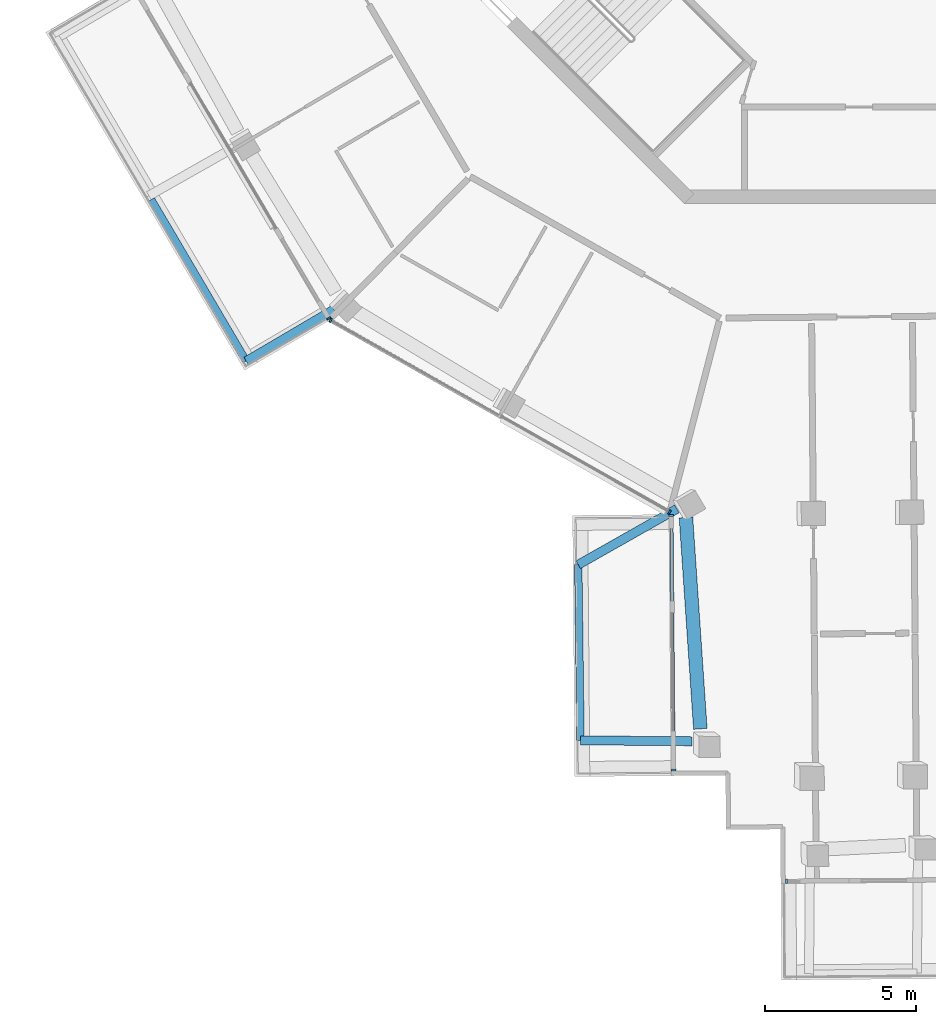
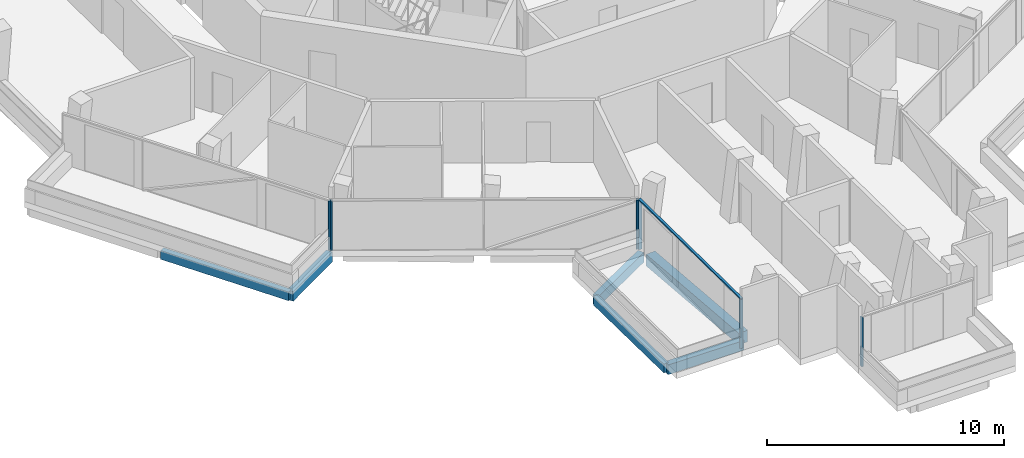
# One storey, part 2 of 26: 7 members, 6 beams, 4 elements without a shape of their own.
"""IFC4 building model written with IfcOpenShell, lengths in metres."""

from ifc_helpers import new_model, si_unit, direction, frame, origin, origin_2d, place, context, subcontext, project, spatial, rectangle, extrude, material, layer, layer_set, material_profile, profile_set, type_object, element, aggregate, save


model = new_model("IFC4")

# Units and contexts
model_context = context("Model", 3, precision=1e-05, world=origin(), true_north=direction((0.0, 1.0)))
body_context = subcontext(model_context, "Body", "Model", "MODEL_VIEW")
ifc_project = project(units=[si_unit("LENGTHUNIT", "METRE"), si_unit("AREAUNIT", "SQUARE_METRE"), si_unit("VOLUMEUNIT", "CUBIC_METRE"), si_unit("PLANEANGLEUNIT", "RADIAN"), si_unit("MASSUNIT", "GRAM", prefix="KILO")], contexts=[model_context])

# Site, building, storey
site_placement = place(None, origin())
site = spatial("IfcSite", under=ifc_project, at=site_placement, CompositionType="ELEMENT")
building_placement = place(site_placement, origin())
building = spatial("IfcBuilding", under=site, at=building_placement, Name="Verdalira Terraces Hotel", CompositionType="ELEMENT")
storey_placement = place(building_placement, frame((0.0, 0.0, 281.0)))
storey = spatial("IfcBuildingStorey", under=building, at=storey_placement, Name="L69", CompositionType="ELEMENT", Elevation=281.0)

# Beams
ifc_material_1 = material(Name="Concrete C40", Category="concrete")
ifc_material_profile_1 = material_profile(ifc_material_1, rectangle(XDim=0.300049, YDim=0.5, at=origin_2d()), Name="RC 300X500")
ifc_profile_set_1 = profile_set([ifc_material_profile_1], Name="Concrete C40")
beam_type_1 = type_object("IfcBeamType", Name="Balcony cantilever beam RC 300X500 C40", PredefinedType="BEAM", material=ifc_profile_set_1)
beam_1_placement = place(storey_placement, frame((-17.408203, -17.517578, -0.560059), z_axis=(-0.861783344, -0.50727652, 0.0), x_axis=(0.50727652, -0.861783344, 0.0)))
element("IfcBeam", 1, at=beam_1_placement, inside=storey, type_object=beam_type_1, Name="Balcony cantilever beam R12-3", PredefinedType="BEAM", context=body_context, shape_type="SweptSolid", body=[
    extrude(rectangle(XDim=0.300049, YDim=0.5, at=origin_2d()), origin(), (0.0, 0.0, 1.0), 3.370361),
])
beam_2_placement = place(storey_placement, frame((-6.039551, -24.124268, -0.560059), z_axis=(-0.870188497, -0.492718967, 0.0), x_axis=(0.492718967, -0.870188497, 0.0)))
element("IfcBeam", 2, at=beam_2_placement, inside=storey, type_object=beam_type_1, Name="Balcony cantilever beam R14-1", PredefinedType="BEAM", context=body_context, shape_type="SweptSolid", body=[
    extrude(rectangle(XDim=0.300049, YDim=0.5, at=origin_2d()), origin(), (0.0, 0.0, 1.0), 3.755859),
])
beam_3_placement = place(storey_placement, frame((-5.540039, -31.828613, -0.560059), z_axis=(-0.999965325, 0.008327537, 0.0), x_axis=(-0.008327537, -0.999965325, 0.0)))
element("IfcBeam", 3, at=beam_3_placement, inside=storey, type_object=beam_type_1, Name="Balcony cantilever beam R14-2", PredefinedType="BEAM", context=body_context, shape_type="SweptSolid", body=[
    extrude(rectangle(XDim=0.300049, YDim=0.5, at=origin_2d()), origin(), (0.0, 0.0, 1.0), 3.694092),
])
ifc_material_2 = material(Name="Concrete C40", Category="concrete")
ifc_material_profile_2 = material_profile(ifc_material_2, rectangle(XDim=0.25, YDim=0.449951, at=origin_2d()), Name="RC 250X450")
ifc_profile_set_2 = profile_set([ifc_material_profile_2], Name="Concrete C40")
beam_type_2 = type_object("IfcBeamType", Name="Balcony edge beam RC 250X450 C40", PredefinedType="BEAM", material=ifc_profile_set_2)
beam_4_placement = place(storey_placement, frame((-23.463623, -13.873535, -0.534912), z_axis=(0.507212474, -0.861821041, 0.0), x_axis=(0.861821041, 0.507212474, 0.0)))
element("IfcBeam", 4, at=beam_4_placement, inside=storey, type_object=beam_type_2, Name="Balcony edge beam R12-2", PredefinedType="BEAM", context=body_context, shape_type="SweptSolid", body=[
    extrude(rectangle(XDim=0.25, YDim=0.449951, at=origin_2d()), origin(), (0.0, 0.0, 1.0), 6.212158),
])
beam_5_placement = place(storey_placement, frame((-9.307861, -25.974854, -0.534912), z_axis=(0.012702845, -0.999919316, 0.0), x_axis=(0.999919316, 0.012702845, 0.0)))
element("IfcBeam", 5, at=beam_5_placement, inside=storey, type_object=beam_type_2, Name="Balcony edge beam R14-1", PredefinedType="BEAM", context=body_context, shape_type="SweptSolid", body=[
    extrude(rectangle(XDim=0.25, YDim=0.449951, at=origin_2d()), origin(), (0.0, 0.0, 1.0), 5.823486),
])

# Curtain wall, member
ifc_material_3 = material(Name="Clear glass", Category="glass")
ifc_layer_1 = layer(ifc_material_3, 0.14990234375)
ifc_layer_set_1 = layer_set([ifc_layer_1], Name="CW1 curtain wall")
curtain_wall_type_1 = type_object("IfcCurtainWallType", Name="CW1 curtain wall", PredefinedType="NOTDEFINED", material=ifc_layer_set_1)
curtain_wall_1_placement = place(storey_placement, origin())
curtain_wall_1 = element("IfcCurtainWall", 6, at=curtain_wall_1_placement, inside=storey, type_object=curtain_wall_type_1, Name="CW1 curtain wall L69 edge 12", PredefinedType="NOTDEFINED")
ifc_material_4 = material(Name="Terracotta frame", Category="masonry")
ifc_material_profile_3 = material_profile(ifc_material_4, rectangle(XDim=0.060059, YDim=0.149902, at=origin_2d()), Name="MU 60x150")
ifc_profile_set_3 = profile_set([ifc_material_profile_3], Name="Terracotta frame")
member_type_1 = type_object("IfcMemberType", Name="CW1 mullion 60x150", PredefinedType="MULLION", material=ifc_profile_set_3)
member_1_placement = place(storey_placement, frame((-17.579834, -17.807861, 0.0), z_axis=(0.0, 0.0, 1.0), x_axis=(0.507237567, -0.861806272, 0.0)))
member_1 = element("IfcMember", 7, at=member_1_placement, type_object=member_type_1, Name="CW1 mullion", PredefinedType="MULLION", context=body_context, shape_type="SweptSolid", body=[
    extrude(rectangle(XDim=0.060059, YDim=0.149902, at=origin_2d()), origin(), (0.0, 0.0, 1.0), 2.524902),
])
aggregate(curtain_wall_1, [member_1])

# Curtain wall, members
curtain_wall_2_placement = place(storey_placement, origin())
curtain_wall_2 = element("IfcCurtainWall", 8, at=curtain_wall_2_placement, inside=storey, type_object=curtain_wall_type_1, Name="CW1 curtain wall L69 edge 13", PredefinedType="NOTDEFINED")
member_2_placement = place(storey_placement, frame((-17.510986, -17.875732, 0.0), z_axis=(0.0, 0.0, 1.0), x_axis=(0.870183755, -0.492727342, 0.0)))
member_2 = element("IfcMember", 9, at=member_2_placement, type_object=member_type_1, Name="CW1 mullion", PredefinedType="MULLION", context=body_context, shape_type="SweptSolid", body=[
    extrude(rectangle(XDim=0.060059, YDim=0.149902, at=origin_2d()), origin(), (0.0, 0.0, 1.0), 2.524902),
])
member_3_placement = place(storey_placement, frame((-6.285645, -24.231934, 0.0), z_axis=(0.0, 0.0, 1.0), x_axis=(0.870183755, -0.492727342, 0.0)))
member_3 = element("IfcMember", 10, at=member_3_placement, type_object=member_type_1, Name="CW1 mullion", PredefinedType="MULLION", context=body_context, shape_type="SweptSolid", body=[
    extrude(rectangle(XDim=0.060059, YDim=0.149902, at=origin_2d()), origin(), (0.0, 0.0, 1.0), 2.524902),
])
aggregate(curtain_wall_2, [member_2, member_3])

ifc_material_5 = material(Name="Clear glass", Category="glass")
ifc_layer_2 = layer(ifc_material_5, 0.14990234375)
ifc_layer_set_2 = layer_set([ifc_layer_2], Name="CW2 curtain wall")
curtain_wall_type_2 = type_object("IfcCurtainWallType", Name="CW2 curtain wall", PredefinedType="NOTDEFINED", material=ifc_layer_set_2)
curtain_wall_3_placement = place(storey_placement, origin())
curtain_wall_3 = element("IfcCurtainWall", 11, at=curtain_wall_3_placement, inside=storey, type_object=curtain_wall_type_2, Name="CW2 curtain wall L69 edge 14", PredefinedType="NOTDEFINED")
ifc_material_6 = material(Name="Terracotta frame", Category="masonry")
ifc_material_profile_4 = material_profile(ifc_material_6, rectangle(XDim=0.070068, YDim=0.149902, at=origin_2d()), Name="MU 70x150")
ifc_profile_set_4 = profile_set([ifc_material_profile_4], Name="Terracotta frame")
member_type_2 = type_object("IfcMemberType", Name="CW2 mullion 70x150", PredefinedType="MULLION", material=ifc_profile_set_4)
member_4_placement = place(storey_placement, frame((-6.221191, -24.346191, 0.0), z_axis=(0.0, 0.0, 1.0), x_axis=(0.008377482, -0.999964908, 0.0)))
member_4 = element("IfcMember", 12, at=member_4_placement, type_object=member_type_2, Name="CW2 mullion", PredefinedType="MULLION", context=body_context, shape_type="SweptSolid", body=[
    extrude(rectangle(XDim=0.070068, YDim=0.149902, at=origin_2d()), origin(), (0.0, 0.0, 1.0), 2.524902),
])
member_5_placement = place(storey_placement, frame((-6.150635, -32.786133, 0.0), z_axis=(0.0, 0.0, 1.0), x_axis=(0.008377482, -0.999964908, 0.0)))
member_5 = element("IfcMember", 13, at=member_5_placement, type_object=member_type_2, Name="CW2 mullion", PredefinedType="MULLION", context=body_context, shape_type="SweptSolid", body=[
    extrude(rectangle(XDim=0.070068, YDim=0.149902, at=origin_2d()), origin(), (0.0, 0.0, 1.0), 2.524902),
])
ifc_material_7 = material(Name="Terracotta frame", Category="masonry")
ifc_material_profile_5 = material_profile(ifc_material_7, rectangle(XDim=0.11499, YDim=0.064941, at=origin_2d()), Name="TR 65x115")
ifc_profile_set_5 = profile_set([ifc_material_profile_5], Name="Terracotta frame")
member_type_3 = type_object("IfcMemberType", Name="CW2 transom 65x115", PredefinedType="USERDEFINED", material=ifc_profile_set_5)
member_6_placement = place(storey_placement, frame((-6.221436, -24.311279, 2.557617), z_axis=(0.00837703, -0.999964912, 0.0), x_axis=(0.999964912, 0.00837703, 0.0)))
member_6 = element("IfcMember", 14, at=member_6_placement, type_object=member_type_3, Name="CW2 transom", ObjectType="TRANSOM", PredefinedType="USERDEFINED", context=body_context, shape_type="SweptSolid", body=[
    extrude(rectangle(XDim=0.11499, YDim=0.064941, at=origin_2d()), origin(), (0.0, 0.0, 1.0), 8.51001),
])
aggregate(curtain_wall_3, [member_4, member_5, member_6])

# Curtain wall, member
ifc_material_8 = material(Name="Clear glass", Category="glass")
ifc_layer_3 = layer(ifc_material_8, 0.14990234375)
ifc_layer_set_3 = layer_set([ifc_layer_3], Name="CW3 curtain wall")
curtain_wall_type_3 = type_object("IfcCurtainWallType", Name="CW3 curtain wall", PredefinedType="NOTDEFINED", material=ifc_layer_set_3)
curtain_wall_4_placement = place(storey_placement, origin())
curtain_wall_4 = element("IfcCurtainWall", 15, at=curtain_wall_4_placement, inside=storey, type_object=curtain_wall_type_3, Name="CW3 curtain wall L69 edge 19", PredefinedType="NOTDEFINED")
ifc_material_9 = material(Name="Terracotta frame", Category="masonry")
ifc_material_profile_6 = material_profile(ifc_material_9, rectangle(XDim=0.080078, YDim=0.149902, at=origin_2d()), Name="MU 80x150")
ifc_profile_set_6 = profile_set([ifc_material_profile_6], Name="Terracotta frame")
member_type_4 = type_object("IfcMemberType", Name="CW3 mullion 80x150", PredefinedType="MULLION", material=ifc_profile_set_6)
member_7_placement = place(storey_placement, frame((-2.404541, -36.464844, 0.0), z_axis=(0.0, 0.0, 1.0), x_axis=(0.999964908, 0.008377482, 0.0)))
member_7 = element("IfcMember", 16, at=member_7_placement, type_object=member_type_4, Name="CW3 mullion", PredefinedType="MULLION", context=body_context, shape_type="SweptSolid", body=[
    extrude(rectangle(XDim=0.080078, YDim=0.149902, at=origin_2d()), origin(), (0.0, 0.0, 1.0), 2.524902),
])
aggregate(curtain_wall_4, [member_7])

# Beam
ifc_material_10 = material(Name="Concrete C40", Category="concrete")
ifc_material_profile_7 = material_profile(ifc_material_10, rectangle(XDim=0.449951, YDim=0.600098, at=origin_2d()), Name="RC 450X600")
ifc_profile_set_7 = profile_set([ifc_material_profile_7], Name="Concrete C40")
beam_type_3 = type_object("IfcBeamType", Name="Spandrel beam RC 450X600 C40", PredefinedType="SPANDREL", material=ifc_profile_set_7)
beam_6_placement = place(storey_placement, frame((-5.737549, -24.40918, -0.610107), z_axis=(0.067845403, -0.997695846, 0.0), x_axis=(0.997695846, 0.067845403, 0.0)))
element("IfcBeam", 17, at=beam_6_placement, inside=storey, type_object=beam_type_3, Name="Spandrel beam B10", PredefinedType="SPANDREL", context=body_context, shape_type="SweptSolid", body=[
    extrude(rectangle(XDim=0.449951, YDim=0.600098, at=origin_2d()), origin(), (0.0, 0.0, 1.0), 7.02417),
])

save(model, "model.ifc")
